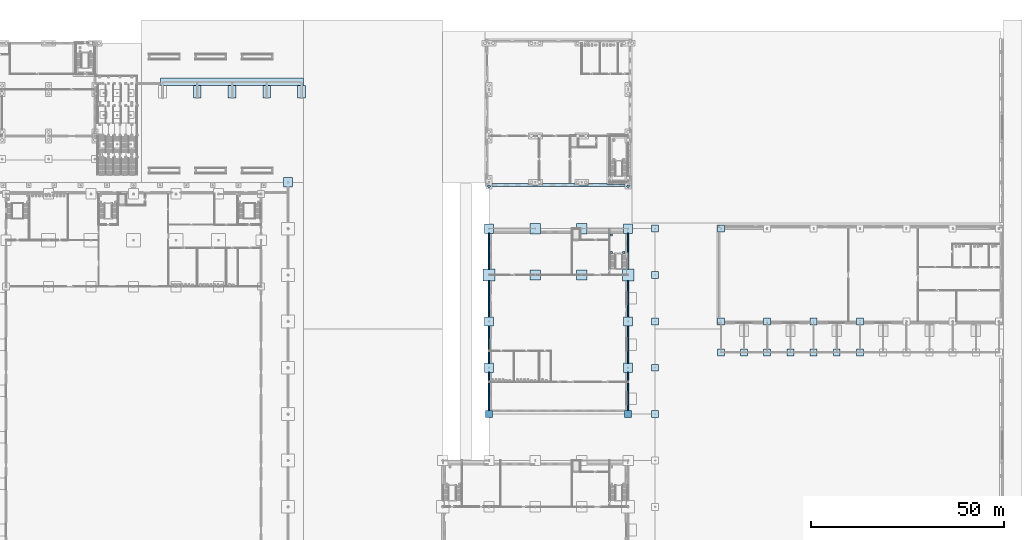
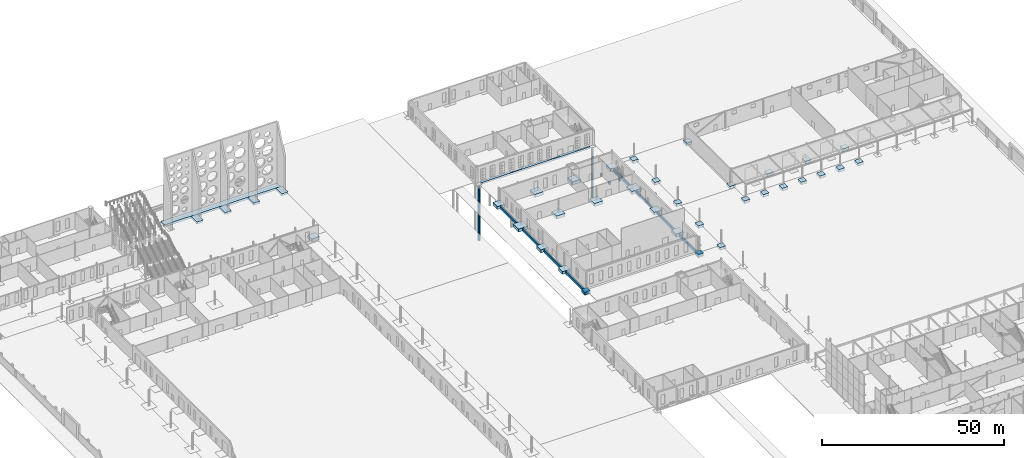
# One storey, part 5 of 132: 49 footings, 2 piles.
"""IFC4 building model written with IfcOpenShell, lengths in metres."""

from ifc_helpers import new_model, si_unit, direction, frame, origin, origin_2d, place, context, subcontext, project, spatial, polyline, rectangle, circle, outline, extrude, material, material_profile, profile_set, type_object, element, save


model = new_model("IFC4")

# Units and contexts
model_context = context("Model", 3, precision=1e-05, world=origin(), true_north=direction((0.0, 1.0)))
body_context = subcontext(model_context, "Body", "Model", "MODEL_VIEW")
ifc_project = project(units=[si_unit("LENGTHUNIT", "METRE"), si_unit("AREAUNIT", "SQUARE_METRE"), si_unit("VOLUMEUNIT", "CUBIC_METRE"), si_unit("PLANEANGLEUNIT", "RADIAN"), si_unit("MASSUNIT", "GRAM", prefix="KILO")], contexts=[model_context])

# Site, building, storey
site_placement = place(None, origin())
site = spatial("IfcSite", under=ifc_project, at=site_placement, CompositionType="ELEMENT")
building_placement = place(site_placement, origin())
building = spatial("IfcBuilding", under=site, at=building_placement, Name="Ravi Spectrum Wholesale Market", CompositionType="ELEMENT")
storey_placement = place(building_placement, origin())
storey = spatial("IfcBuildingStorey", under=building, at=storey_placement, Name="L00", CompositionType="ELEMENT", Elevation=0.0)

# Piles
ifc_material_1 = material(Name="Concrete C35/45", Category="concrete")
ifc_material_profile = material_profile(ifc_material_1, circle(Radius=0.375, at=origin_2d()))
ifc_profile_set = profile_set([ifc_material_profile], Name="Concrete C35/45")
pile_type = type_object("IfcPileType", Name="Bored pile D750", PredefinedType="BORED", material=ifc_profile_set)
for number, where, z_axis, x_axis, name in (
    (1, (162.0, 196.949951171875, -1.0), (0.0, 0.0, -1.0), (1.0, 0.0, 0.0), "AU-PL-L00-001"),
    (2, (198.0, 196.949951171875, -1.0), (0.0, 0.0, -1.0), (1.0, 0.0, 0.0), "AU-PL-L00-021"),
):
    element("IfcPile", number, at=place(storey_placement, frame(where, z_axis=z_axis, x_axis=x_axis)), inside=storey, type_object=pile_type, Name=name, PredefinedType="BORED", context=body_context, shape_type="SweptSolid", body=[
        extrude(circle(Radius=0.375, at=origin_2d()), origin(), (0.0, 0.0, 1.0), 18.10009765625),
    ])

# Footings
ifc_material_2 = material(Name="Concrete C35/45", Category="concrete")
footing_type_1 = type_object("IfcFootingType", Name="Facade plinth footing 810 x 600", PredefinedType="STRIP_FOOTING", material=ifc_material_2)
footing_1_placement = place(storey_placement, frame((0.0, 0.0, -0.60009765625)))
element("IfcFooting", 3, at=footing_1_placement, inside=storey, type_object=footing_type_1, Name="Facade plinth footing", PredefinedType="STRIP_FOOTING", context=body_context, shape_type="SweptSolid", body=[
    extrude(outline(polyline([(192.60009765625, 197.39990234375), (197.25, 197.39990234375), (197.25, 196.93994140625), (162.75, 196.93994140625), (162.75, 197.75), (172.199951171875, 197.75), (172.199951171875, 197.25), (175.800048828125, 197.25), (175.800048828125, 197.75), (184.199951171875, 197.75), (184.199951171875, 197.25), (187.800048828125, 197.25), (187.800048828125, 197.75), (192.60009765625, 197.75), (192.60009765625, 197.39990234375)])), origin(), (0.0, 0.0, 1.0), 0.60009765625),
])
ifc_material_3 = material(Name="Concrete C35/45", Category="concrete")
footing_type_2 = type_object("IfcFootingType", Name="Ground beam 450x900", PredefinedType="FOOTING_BEAM", material=ifc_material_3)
footing_2_placement = place(storey_placement, frame((0.0, 0.0, -1.199951171875)))
element("IfcFooting", 4, at=footing_2_placement, inside=storey, type_object=footing_type_2, Name="H3-GB-L00-001", PredefinedType="FOOTING_BEAM", context=body_context, shape_type="SweptSolid", body=[
    extrude(outline(polyline([(161.77490234375, 138.89990234375), (161.77490234375, 148.800048828125), (162.22509765625, 148.800048828125), (162.22509765625, 138.89990234375), (161.77490234375, 138.89990234375)])), origin(), (0.0, 0.0, 1.0), 0.89990234375),
])
footing_3_placement = place(storey_placement, frame((0.0, 0.0, -1.199951171875)))
element("IfcFooting", 5, at=footing_3_placement, inside=storey, type_object=footing_type_2, Name="H3-GB-L00-002", PredefinedType="FOOTING_BEAM", context=body_context, shape_type="SweptSolid", body=[
    extrude(outline(polyline([(161.77490234375, 151.199951171875), (161.77490234375, 160.800048828125), (162.22509765625, 160.800048828125), (162.22509765625, 151.199951171875), (161.77490234375, 151.199951171875)])), origin(), (0.0, 0.0, 1.0), 0.89990234375),
])
footing_4_placement = place(storey_placement, frame((0.0, 0.0, -1.199951171875)))
element("IfcFooting", 6, at=footing_4_placement, inside=storey, type_object=footing_type_2, Name="H3-GB-L00-003", PredefinedType="FOOTING_BEAM", context=body_context, shape_type="SweptSolid", body=[
    extrude(outline(polyline([(161.77490234375, 163.199951171875), (161.77490234375, 172.5), (162.22509765625, 172.5), (162.22509765625, 163.199951171875), (161.77490234375, 163.199951171875)])), origin(), (0.0, 0.0, 1.0), 0.89990234375),
])
footing_5_placement = place(storey_placement, frame((0.0, 0.0, -1.199951171875)))
element("IfcFooting", 7, at=footing_5_placement, inside=storey, type_object=footing_type_2, Name="H3-GB-L00-004", PredefinedType="FOOTING_BEAM", context=body_context, shape_type="SweptSolid", body=[
    extrude(outline(polyline([(161.77490234375, 175.5), (161.77490234375, 184.800048828125), (162.22509765625, 184.800048828125), (162.22509765625, 175.5), (161.77490234375, 175.5)])), origin(), (0.0, 0.0, 1.0), 0.89990234375),
])
footing_6_placement = place(storey_placement, frame((0.0, 0.0, -1.199951171875)))
element("IfcFooting", 8, at=footing_6_placement, inside=storey, type_object=footing_type_2, Name="H3-GB-L00-005", PredefinedType="FOOTING_BEAM", context=body_context, shape_type="SweptSolid", body=[
    extrude(outline(polyline([(197.77490234375, 138.89990234375), (197.77490234375, 148.800048828125), (198.22509765625, 148.800048828125), (198.22509765625, 138.89990234375), (197.77490234375, 138.89990234375)])), origin(), (0.0, 0.0, 1.0), 0.89990234375),
])
footing_7_placement = place(storey_placement, frame((0.0, 0.0, -1.199951171875)))
element("IfcFooting", 9, at=footing_7_placement, inside=storey, type_object=footing_type_2, Name="H3-GB-L00-006", PredefinedType="FOOTING_BEAM", context=body_context, shape_type="SweptSolid", body=[
    extrude(outline(polyline([(197.77490234375, 151.199951171875), (197.77490234375, 160.800048828125), (198.22509765625, 160.800048828125), (198.22509765625, 151.199951171875), (197.77490234375, 151.199951171875)])), origin(), (0.0, 0.0, 1.0), 0.89990234375),
])
footing_8_placement = place(storey_placement, frame((0.0, 0.0, -1.199951171875)))
element("IfcFooting", 10, at=footing_8_placement, inside=storey, type_object=footing_type_2, Name="H3-GB-L00-007", PredefinedType="FOOTING_BEAM", context=body_context, shape_type="SweptSolid", body=[
    extrude(outline(polyline([(197.77490234375, 163.199951171875), (197.77490234375, 172.5), (198.22509765625, 172.5), (198.22509765625, 163.199951171875), (197.77490234375, 163.199951171875)])), origin(), (0.0, 0.0, 1.0), 0.89990234375),
])
footing_9_placement = place(storey_placement, frame((0.0, 0.0, -1.199951171875)))
element("IfcFooting", 11, at=footing_9_placement, inside=storey, type_object=footing_type_2, Name="H3-GB-L00-008", PredefinedType="FOOTING_BEAM", context=body_context, shape_type="SweptSolid", body=[
    extrude(outline(polyline([(197.77490234375, 175.5), (197.77490234375, 184.800048828125), (198.22509765625, 184.800048828125), (198.22509765625, 175.5), (197.77490234375, 175.5)])), origin(), (0.0, 0.0, 1.0), 0.89990234375),
])
ifc_material_4 = material(Name="Concrete C35/45", Category="concrete")
footing_type_3 = type_object("IfcFootingType", Name="Pad footing 1800x1800x1000", PredefinedType="PAD_FOOTING", material=ifc_material_4)
for number, where, z_axis, x_axis, name in (
    (12, (162.0, 138.0, -1.0), (0.0, 0.0, 1.0), (1.0, 0.0, 0.0), "H3-PF-L00-001"),
    (13, (198.0, 138.0, -1.0), (0.0, 0.0, 1.0), (1.0, 0.0, 0.0), "H3-PF-L00-006"),
):
    element("IfcFooting", number, at=place(storey_placement, frame(where, z_axis=z_axis, x_axis=x_axis)), inside=storey, type_object=footing_type_3, Name=name, PredefinedType="PAD_FOOTING", context=body_context, shape_type="SweptSolid", body=[
        extrude(rectangle(XDim=1.800048828125, YDim=1.800048828125, at=origin_2d()), origin(), (0.0, 0.0, 1.0), 1.0),
    ])
ifc_material_5 = material(Name="Concrete C35/45", Category="concrete")
footing_type_4 = type_object("IfcFootingType", Name="Pad footing 1800x1800x900", PredefinedType="PAD_FOOTING", material=ifc_material_5)
for number, where, z_axis, x_axis, name in (
    (14, (205.0, 138.0, -0.89990234375), (0.0, 0.0, 1.0), (1.0, 0.0, 0.0), "H3-PF-L00-015"),
    (15, (205.0, 150.0, -0.89990234375), (0.0, 0.0, 1.0), (1.0, 0.0, 0.0), "H3-PF-L00-016"),
    (16, (205.0, 162.0, -0.89990234375), (0.0, 0.0, 1.0), (1.0, 0.0, 0.0), "H3-PF-L00-017"),
    (17, (205.0, 174.0, -0.89990234375), (0.0, 0.0, 1.0), (1.0, 0.0, 0.0), "H3-PF-L00-018"),
    (18, (205.0, 186.0, -0.89990234375), (0.0, 0.0, 1.0), (1.0, 0.0, 0.0), "H3-PF-L00-019"),
    (19, (222.0, 162.0, -0.89990234375), (0.0, 0.0, 1.0), (1.0, 0.0, 0.0), "GS-PF-L00-001"),
    (20, (222.0, 186.0, -0.89990234375), (0.0, 0.0, 1.0), (1.0, 0.0, 0.0), "GS-PF-L00-002"),
    (21, (234.0, 162.0, -0.89990234375), (0.0, 0.0, 1.0), (1.0, 0.0, 0.0), "GS-PF-L00-003"),
    (22, (246.0, 162.0, -0.89990234375), (0.0, 0.0, 1.0), (1.0, 0.0, 0.0), "GS-PF-L00-005"),
    (23, (258.0, 162.0, -0.89990234375), (0.0, 0.0, 1.0), (1.0, 0.0, 0.0), "GS-PF-L00-007"),
    (24, (222.0, 154.0, -0.89990234375), (0.0, 0.0, 1.0), (1.0, 0.0, 0.0), "GS-PF-L00-015"),
    (25, (228.0, 154.0, -0.89990234375), (0.0, 0.0, 1.0), (1.0, 0.0, 0.0), "GS-PF-L00-016"),
    (26, (234.0, 154.0, -0.89990234375), (0.0, 0.0, 1.0), (1.0, 0.0, 0.0), "GS-PF-L00-017"),
    (27, (240.0, 154.0, -0.89990234375), (0.0, 0.0, 1.0), (1.0, 0.0, 0.0), "GS-PF-L00-018"),
    (28, (246.0, 154.0, -0.89990234375), (0.0, 0.0, 1.0), (1.0, 0.0, 0.0), "GS-PF-L00-019"),
    (29, (252.0, 154.0, -0.89990234375), (0.0, 0.0, 1.0), (1.0, 0.0, 0.0), "GS-PF-L00-020"),
    (30, (258.0, 154.0, -0.89990234375), (0.0, 0.0, 1.0), (1.0, 0.0, 0.0), "GS-PF-L00-021"),
):
    element("IfcFooting", number, at=place(storey_placement, frame(where, z_axis=z_axis, x_axis=x_axis)), inside=storey, type_object=footing_type_4, Name=name, PredefinedType="PAD_FOOTING", context=body_context, shape_type="SweptSolid", body=[
        extrude(rectangle(XDim=1.800048828125, YDim=1.800048828125, at=origin_2d()), origin(), (0.0, 0.0, 1.0), 0.89990234375),
    ])
ifc_material_6 = material(Name="Concrete C35/45", Category="concrete")
footing_type_5 = type_object("IfcFootingType", Name="Pad footing 2400x2400x1000", PredefinedType="PAD_FOOTING", material=ifc_material_6)
for number, where, z_axis, x_axis, name in (
    (31, (110.0, 198.0, -1.0), (0.0, 0.0, 1.0), (1.0, 0.0, 0.0), "H1-PF-L00-030"),
    (32, (162.0, 150.0, -1.0), (0.0, 0.0, 1.0), (1.0, 0.0, 0.0), "H3-PF-L00-002"),
    (33, (162.0, 162.0, -1.0), (0.0, 0.0, 1.0), (1.0, 0.0, 0.0), "H3-PF-L00-003"),
    (34, (162.0, 186.0, -1.0), (0.0, 0.0, 1.0), (1.0, 0.0, 0.0), "H3-PF-L00-005"),
    (35, (198.0, 150.0, -1.0), (0.0, 0.0, 1.0), (1.0, 0.0, 0.0), "H3-PF-L00-007"),
    (36, (198.0, 162.0, -1.0), (0.0, 0.0, 1.0), (1.0, 0.0, 0.0), "H3-PF-L00-008"),
    (37, (198.0, 186.0, -1.0), (0.0, 0.0, 1.0), (1.0, 0.0, 0.0), "H3-PF-L00-010"),
):
    element("IfcFooting", number, at=place(storey_placement, frame(where, z_axis=z_axis, x_axis=x_axis)), inside=storey, type_object=footing_type_5, Name=name, PredefinedType="PAD_FOOTING", context=body_context, shape_type="SweptSolid", body=[
        extrude(rectangle(XDim=2.39990234375, YDim=2.39990234375, at=origin_2d()), origin(), (0.0, 0.0, 1.0), 1.0),
    ])
ifc_material_7 = material(Name="Concrete C35/45", Category="concrete")
footing_type_6 = type_object("IfcFootingType", Name="Pad footing 2700x2700x1000", PredefinedType="PAD_FOOTING", material=ifc_material_7)
for number, where, z_axis, x_axis, name in (
    (38, (174.0, 174.0, -1.0), (0.0, 0.0, 1.0), (1.0, 0.0, 0.0), "H3-PF-L00-011"),
    (39, (174.0, 186.0, -1.0), (0.0, 0.0, 1.0), (1.0, 0.0, 0.0), "H3-PF-L00-012"),
    (40, (186.0, 174.0, -1.0), (0.0, 0.0, 1.0), (1.0, 0.0, 0.0), "H3-PF-L00-013"),
    (41, (186.0, 186.0, -1.0), (0.0, 0.0, 1.0), (1.0, 0.0, 0.0), "H3-PF-L00-014"),
):
    element("IfcFooting", number, at=place(storey_placement, frame(where, z_axis=z_axis, x_axis=x_axis)), inside=storey, type_object=footing_type_6, Name=name, PredefinedType="PAD_FOOTING", context=body_context, shape_type="SweptSolid", body=[
        extrude(rectangle(XDim=2.699951171875, YDim=2.699951171875, at=origin_2d()), origin(), (0.0, 0.0, 1.0), 1.0),
    ])
ifc_material_8 = material(Name="Concrete C35/45", Category="concrete")
footing_type_7 = type_object("IfcFootingType", Name="Pad footing 3000x3000x1000", PredefinedType="PAD_FOOTING", material=ifc_material_8)
for number, where, z_axis, x_axis, name in (
    (42, (162.0, 174.0, -1.0), (0.0, 0.0, 1.0), (1.0, 0.0, 0.0), "H3-PF-L00-004"),
    (43, (198.0, 174.0, -1.0), (0.0, 0.0, 1.0), (1.0, 0.0, 0.0), "H3-PF-L00-009"),
):
    element("IfcFooting", number, at=place(storey_placement, frame(where, z_axis=z_axis, x_axis=x_axis)), inside=storey, type_object=footing_type_7, Name=name, PredefinedType="PAD_FOOTING", context=body_context, shape_type="SweptSolid", body=[
        extrude(rectangle(XDim=3.0, YDim=3.0, at=origin_2d()), origin(), (0.0, 0.0, 1.0), 1.0),
    ])
ifc_material_9 = material(Name="Concrete C35/45", Category="concrete")
footing_type_8 = type_object("IfcFootingType", Name="Pad footing 600x600x900", PredefinedType="PAD_FOOTING", material=ifc_material_9)
for number, where, z_axis, x_axis, name in (
    (44, (193.60009765625, 179.820068359375, -0.89990234375), (0.0, 0.0, 1.0), (1.0, 0.0, 0.0), "H3-PF-L00-020"),
    (45, (193.60009765625, 184.343017578125, -0.89990234375), (0.0, 0.0, 1.0), (1.0, 0.0, 0.0), "H3-PF-L00-021"),
    (46, (196.85009765625, 179.820068359375, -0.89990234375), (0.0, 0.0, 1.0), (1.0, 0.0, 0.0), "H3-PF-L00-022"),
):
    element("IfcFooting", number, at=place(storey_placement, frame(where, z_axis=z_axis, x_axis=x_axis)), inside=storey, type_object=footing_type_8, Name=name, PredefinedType="PAD_FOOTING", context=body_context, shape_type="SweptSolid", body=[
        extrude(rectangle(XDim=0.60009765625, YDim=0.60009765625, at=origin_2d()), origin(), (0.0, 0.0, 1.0), 0.89990234375),
    ])
ifc_material_10 = material(Name="Concrete C35/45", Category="concrete")
footing_type_9 = type_object("IfcFootingType", Name="Strip footing 2000x700", PredefinedType="STRIP_FOOTING", material=ifc_material_10)
footing_10_placement = place(storey_placement, frame((0.0, 0.0, -0.699951171875)))
element("IfcFooting", 47, at=footing_10_placement, inside=storey, type_object=footing_type_9, Name="GW-SF-L00-001", PredefinedType="STRIP_FOOTING", context=body_context, shape_type="SweptSolid", body=[
    extrude(outline(polyline([(77.0, 225.0), (114.0, 225.0), (114.0, 223.0), (77.0, 223.0), (77.0, 225.0)])), origin(), (0.0, 0.0, 1.0), 0.699951171875),
])
footing_11_placement = place(storey_placement, frame((0.0, 0.0, -0.699951171875)))
element("IfcFooting", 48, at=footing_11_placement, inside=storey, type_object=footing_type_9, Name="GW-SF-L00-003", PredefinedType="STRIP_FOOTING", context=body_context, shape_type="SweptSolid", body=[
    extrude(outline(polyline([(87.5, 223.0), (87.5, 219.75), (85.5, 219.75), (85.5, 223.0), (87.5, 223.0)])), origin(), (0.0, 0.0, 1.0), 0.699951171875),
])
footing_12_placement = place(storey_placement, frame((0.0, 0.0, -0.699951171875)))
element("IfcFooting", 49, at=footing_12_placement, inside=storey, type_object=footing_type_9, Name="GW-SF-L00-004", PredefinedType="STRIP_FOOTING", context=body_context, shape_type="SweptSolid", body=[
    extrude(outline(polyline([(96.5, 223.0), (96.5, 219.75), (94.5, 219.75), (94.5, 223.0), (96.5, 223.0)])), origin(), (0.0, 0.0, 1.0), 0.699951171875),
])
footing_13_placement = place(storey_placement, frame((0.0, 0.0, -0.699951171875)))
element("IfcFooting", 50, at=footing_13_placement, inside=storey, type_object=footing_type_9, Name="GW-SF-L00-005", PredefinedType="STRIP_FOOTING", context=body_context, shape_type="SweptSolid", body=[
    extrude(outline(polyline([(105.5, 223.0), (105.5, 219.75), (103.5, 219.75), (103.5, 223.0), (105.5, 223.0)])), origin(), (0.0, 0.0, 1.0), 0.699951171875),
])
footing_14_placement = place(storey_placement, frame((0.0, 0.0, -0.699951171875)))
element("IfcFooting", 51, at=footing_14_placement, inside=storey, type_object=footing_type_9, Name="GW-SF-L00-006", PredefinedType="STRIP_FOOTING", context=body_context, shape_type="SweptSolid", body=[
    extrude(outline(polyline([(114.5, 223.0), (114.5, 219.75), (112.5, 219.75), (112.5, 223.0), (114.5, 223.0)])), origin(), (0.0, 0.0, 1.0), 0.699951171875),
])

save(model, "model.ifc")
